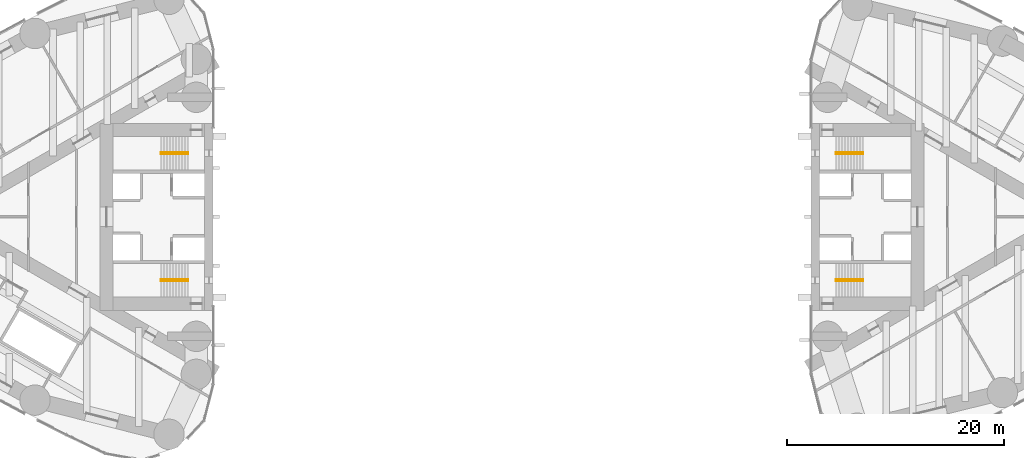
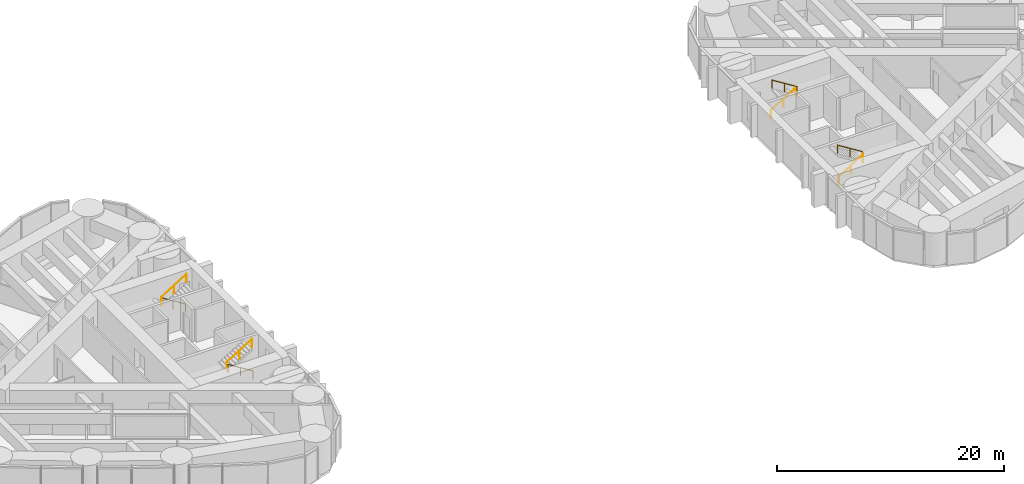
# One storey, part 17 of 17: 8 railings.
"""IFC4 building model written with IfcOpenShell, lengths in metres."""

from ifc_helpers import new_model, si_unit, direction, frame, origin, origin_2d, place, context, subcontext, project, spatial, circle, extrude, material, type_object, element, save


model = new_model("IFC4")

# Units and contexts
model_context = context("Model", 3, precision=1e-05, world=origin(), true_north=direction((0.0, 1.0)))
body_context = subcontext(model_context, "Body", "Model", "MODEL_VIEW")
ifc_project = project(units=[si_unit("LENGTHUNIT", "METRE"), si_unit("AREAUNIT", "SQUARE_METRE"), si_unit("VOLUMEUNIT", "CUBIC_METRE"), si_unit("PLANEANGLEUNIT", "RADIAN"), si_unit("MASSUNIT", "GRAM", prefix="KILO")], contexts=[model_context])

# Site, building, storey
site_placement = place(None, origin())
site = spatial("IfcSite", under=ifc_project, at=site_placement, CompositionType="ELEMENT")
building_placement = place(site_placement, origin())
building = spatial("IfcBuilding", under=site, at=building_placement, Name="Lancet Gate Hotel", CompositionType="ELEMENT")
storey_placement = place(building_placement, frame((0.0, 0.0, 201.800048828125)))
storey = spatial("IfcBuildingStorey", under=building, at=storey_placement, Name="L54", CompositionType="ELEMENT", Elevation=201.800048828125)

# Railings
ifc_material = material(Name="Stainless steel handrail", Category="steel")
railing_type = type_object("IfcRailingType", Name="Stair handrail 900", PredefinedType="HANDRAIL", material=ifc_material)
railing_1_placement = place(storey_placement, frame((-29.800048828125, 5.929931640625, 0.175048828125)))
element("IfcRailing", 1, at=railing_1_placement, inside=storey, type_object=railing_type, Name="ST1 handrail flight 1 L54", PredefinedType="HANDRAIL", context=body_context, shape_type="SweptSolid", body=[
    extrude(circle(Radius=0.02392578125, at=origin_2d()), frame((0.0, 0.0, 0.8759765625), z_axis=(-0.848007534815, 0.0, 0.529984170421), x_axis=(0.0, -1.0, 0.0)), (0.0, 0.0, 1.0), 2.9716796875),
    extrude(circle(Radius=0.02099609375, at=origin_2d()), origin(), (0.0, 0.0, 1.0), 0.851806640625),
    extrude(circle(Radius=0.02099609375, at=origin_2d()), frame((-1.260009765625, 0.0, 0.78759765625)), (0.0, 0.0, 1.0), 0.851806640625),
    extrude(circle(Radius=0.02099609375, at=origin_2d()), frame((-2.52001953125, 0.0, 1.574951171875)), (0.0, 0.0, 1.0), 0.851806640625),
])
railing_2_placement = place(storey_placement, frame((-32.320068359375, 5.77001953125, 1.925048828125)))
element("IfcRailing", 2, at=railing_2_placement, inside=storey, type_object=railing_type, Name="ST1 handrail flight 2 L54", PredefinedType="HANDRAIL", context=body_context, shape_type="SweptSolid", body=[
    extrude(circle(Radius=0.02392578125, at=origin_2d()), frame((0.0, 0.0, 0.8759765625), z_axis=(0.848007534815, 0.0, 0.529984170421), x_axis=(0.0, 1.0, 0.0)), (0.0, 0.0, 1.0), 2.9716796875),
    extrude(circle(Radius=0.02099609375, at=origin_2d()), origin(), (0.0, 0.0, 1.0), 0.851806640625),
    extrude(circle(Radius=0.02099609375, at=origin_2d()), frame((1.260009765625, 0.0, 0.78759765625)), (0.0, 0.0, 1.0), 0.851806640625),
    extrude(circle(Radius=0.02099609375, at=origin_2d()), frame((2.52001953125, 0.0, 1.574951171875)), (0.0, 0.0, 1.0), 0.851806640625),
])
railing_3_placement = place(storey_placement, frame((-29.800048828125, -5.929931640625, 0.175048828125)))
element("IfcRailing", 3, at=railing_3_placement, inside=storey, type_object=railing_type, Name="ST2 handrail flight 1 L54", PredefinedType="HANDRAIL", context=body_context, shape_type="SweptSolid", body=[
    extrude(circle(Radius=0.02392578125, at=origin_2d()), frame((0.0, 0.0, 0.8759765625), z_axis=(-0.848007534815, 0.0, 0.529984170421), x_axis=(0.0, -1.0, 0.0)), (0.0, 0.0, 1.0), 2.9716796875),
    extrude(circle(Radius=0.02099609375, at=origin_2d()), origin(), (0.0, 0.0, 1.0), 0.851806640625),
    extrude(circle(Radius=0.02099609375, at=origin_2d()), frame((-1.260009765625, 0.0, 0.78759765625)), (0.0, 0.0, 1.0), 0.851806640625),
    extrude(circle(Radius=0.02099609375, at=origin_2d()), frame((-2.52001953125, 0.0, 1.574951171875)), (0.0, 0.0, 1.0), 0.851806640625),
])
for number, where, name in (
    (4, (-32.320068359375, -5.77001953125, 1.925048828125), "ST2 handrail flight 2 L54"),
    (5, (29.800048828125, -5.929931640625, 0.175048828125), "ST3 handrail flight 1 L54"),
):
    element("IfcRailing", number, at=place(storey_placement, frame(where)), inside=storey, type_object=railing_type, Name=name, PredefinedType="HANDRAIL", context=body_context, shape_type="SweptSolid", body=[
        extrude(circle(Radius=0.02392578125, at=origin_2d()), frame((0.0, 0.0, 0.8759765625), z_axis=(0.848007534815, 0.0, 0.529984170421), x_axis=(0.0, 1.0, 0.0)), (0.0, 0.0, 1.0), 2.9716796875),
        extrude(circle(Radius=0.02099609375, at=origin_2d()), origin(), (0.0, 0.0, 1.0), 0.851806640625),
        extrude(circle(Radius=0.02099609375, at=origin_2d()), frame((1.260009765625, 0.0, 0.78759765625)), (0.0, 0.0, 1.0), 0.851806640625),
        extrude(circle(Radius=0.02099609375, at=origin_2d()), frame((2.52001953125, 0.0, 1.574951171875)), (0.0, 0.0, 1.0), 0.851806640625),
    ])
railing_4_placement = place(storey_placement, frame((32.320068359375, -5.77001953125, 1.925048828125)))
element("IfcRailing", 6, at=railing_4_placement, inside=storey, type_object=railing_type, Name="ST3 handrail flight 2 L54", PredefinedType="HANDRAIL", context=body_context, shape_type="SweptSolid", body=[
    extrude(circle(Radius=0.02392578125, at=origin_2d()), frame((0.0, 0.0, 0.8759765625), z_axis=(-0.848007534815, 0.0, 0.529984170421), x_axis=(0.0, -1.0, 0.0)), (0.0, 0.0, 1.0), 2.9716796875),
    extrude(circle(Radius=0.02099609375, at=origin_2d()), origin(), (0.0, 0.0, 1.0), 0.851806640625),
    extrude(circle(Radius=0.02099609375, at=origin_2d()), frame((-1.260009765625, 0.0, 0.78759765625)), (0.0, 0.0, 1.0), 0.851806640625),
    extrude(circle(Radius=0.02099609375, at=origin_2d()), frame((-2.52001953125, 0.0, 1.574951171875)), (0.0, 0.0, 1.0), 0.851806640625),
])
railing_5_placement = place(storey_placement, frame((29.800048828125, 5.929931640625, 0.175048828125)))
element("IfcRailing", 7, at=railing_5_placement, inside=storey, type_object=railing_type, Name="ST4 handrail flight 1 L54", PredefinedType="HANDRAIL", context=body_context, shape_type="SweptSolid", body=[
    extrude(circle(Radius=0.02392578125, at=origin_2d()), frame((0.0, 0.0, 0.8759765625), z_axis=(0.848007534815, 0.0, 0.529984170421), x_axis=(0.0, 1.0, 0.0)), (0.0, 0.0, 1.0), 2.9716796875),
    extrude(circle(Radius=0.02099609375, at=origin_2d()), origin(), (0.0, 0.0, 1.0), 0.851806640625),
    extrude(circle(Radius=0.02099609375, at=origin_2d()), frame((1.260009765625, 0.0, 0.78759765625)), (0.0, 0.0, 1.0), 0.851806640625),
    extrude(circle(Radius=0.02099609375, at=origin_2d()), frame((2.52001953125, 0.0, 1.574951171875)), (0.0, 0.0, 1.0), 0.851806640625),
])
railing_6_placement = place(storey_placement, frame((32.320068359375, 5.77001953125, 1.925048828125)))
element("IfcRailing", 8, at=railing_6_placement, inside=storey, type_object=railing_type, Name="ST4 handrail flight 2 L54", PredefinedType="HANDRAIL", context=body_context, shape_type="SweptSolid", body=[
    extrude(circle(Radius=0.02392578125, at=origin_2d()), frame((0.0, 0.0, 0.8759765625), z_axis=(-0.848007534815, 0.0, 0.529984170421), x_axis=(0.0, -1.0, 0.0)), (0.0, 0.0, 1.0), 2.9716796875),
    extrude(circle(Radius=0.02099609375, at=origin_2d()), origin(), (0.0, 0.0, 1.0), 0.851806640625),
    extrude(circle(Radius=0.02099609375, at=origin_2d()), frame((-1.260009765625, 0.0, 0.78759765625)), (0.0, 0.0, 1.0), 0.851806640625),
    extrude(circle(Radius=0.02099609375, at=origin_2d()), frame((-2.52001953125, 0.0, 1.574951171875)), (0.0, 0.0, 1.0), 0.851806640625),
])

save(model, "model.ifc")
